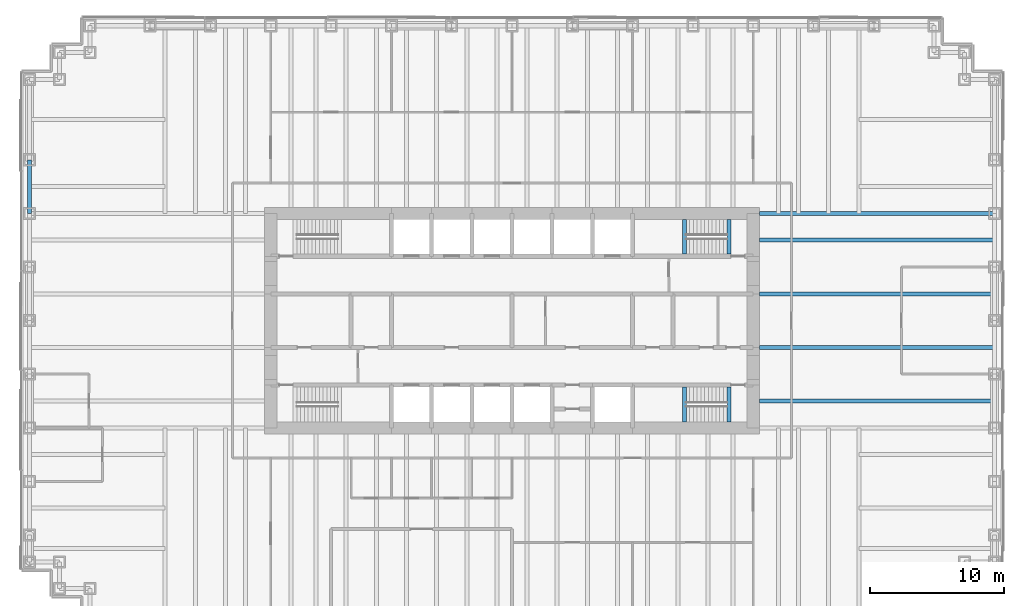
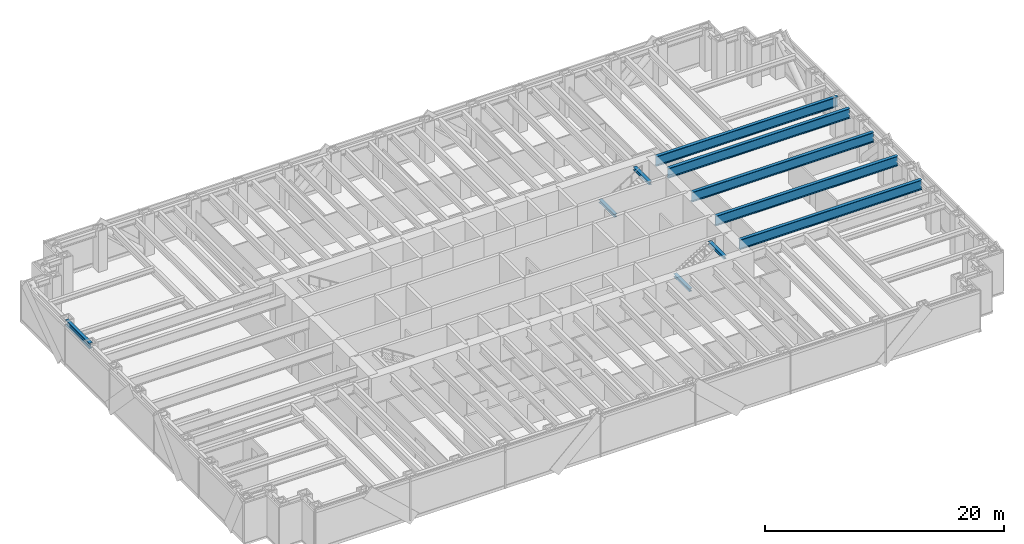
# One storey, part 5 of 15: 10 beams.
"""IFC4 building model written with IfcOpenShell, lengths in metres."""

from ifc_helpers import new_model, si_unit, direction, frame, origin, origin_2d, place, context, subcontext, project, spatial, i_section, extrude, material, material_profile, profile_set, type_object, element, save


model = new_model("IFC4")

# Units and contexts
model_context = context("Model", 3, precision=1e-05, world=origin(), true_north=direction((0.0, 1.0)))
body_context = subcontext(model_context, "Body", "Model", "MODEL_VIEW")
ifc_project = project(units=[si_unit("LENGTHUNIT", "METRE"), si_unit("AREAUNIT", "SQUARE_METRE"), si_unit("VOLUMEUNIT", "CUBIC_METRE"), si_unit("PLANEANGLEUNIT", "RADIAN"), si_unit("MASSUNIT", "GRAM", prefix="KILO")], contexts=[model_context])

# Site, building, storey
site_placement = place(None, origin())
site = spatial("IfcSite", under=ifc_project, at=site_placement, CompositionType="ELEMENT")
building_placement = place(site_placement, origin())
building = spatial("IfcBuilding", under=site, at=building_placement, Name="Rheinbord Bourse Tower", CompositionType="ELEMENT")
storey_placement = place(building_placement, frame((0.0, 0.0, 117.300048828125)))
storey = spatial("IfcBuildingStorey", under=building, at=storey_placement, Name="L25", CompositionType="ELEMENT", Elevation=117.300048828125)

# Beams
ifc_material_1 = material(Name="Steel S460", Category="steel")
ifc_material_profile_1 = material_profile(ifc_material_1, i_section(OverallWidth=0.302001953125, OverallDepth=1.008056640625, WebThickness=0.02099609375, FlangeThickness=0.0400390625, at=origin_2d()), Name="HEM 1000")
ifc_profile_set_1 = profile_set([ifc_material_profile_1], Name="Steel S460")
beam_type_1 = type_object("IfcBeamType", Name="END BEAM HEM 1000", PredefinedType="BEAM", material=ifc_profile_set_1)
for number, where, z_axis, x_axis, name in (
    (1, (54.449951171875, 18.0, 3.535888671875), (1.0, 0.0, 0.0), (0.0, 1.0, 0.0), "End beam east 18 L26"),
    (2, (54.449951171875, 22.0, 3.535888671875), (1.0, 0.0, 0.0), (0.0, 1.0, 0.0), "End beam east 22 L26"),
    (3, (54.449951171875, 26.0, 3.535888671875), (1.0, 0.0, 0.0), (0.0, 1.0, 0.0), "End beam east 26 L26"),
    (4, (54.449951171875, 30.0, 3.535888671875), (1.0, 0.0, 0.0), (0.0, 1.0, 0.0), "End beam east 30 L26"),
):
    element("IfcBeam", number, at=place(storey_placement, frame(where, z_axis=z_axis, x_axis=x_axis)), inside=storey, type_object=beam_type_1, Name=name, PredefinedType="BEAM", context=body_context, shape_type="SweptSolid", body=[
        extrude(i_section(OverallWidth=0.302001953125, OverallDepth=1.008056640625, WebThickness=0.02099609375, FlangeThickness=0.0400390625, at=origin_2d()), origin(), (0.0, 0.0, 1.0), 17.550048828125),
    ])
ifc_material_2 = material(Name="Steel S460", Category="steel")
ifc_material_profile_2 = material_profile(ifc_material_2, i_section(OverallWidth=0.302001953125, OverallDepth=1.008056640625, WebThickness=0.02099609375, FlangeThickness=0.0400390625, at=origin_2d()), Name="HEM 1000")
ifc_profile_set_2 = profile_set([ifc_material_profile_2], Name="Steel S460")
beam_type_2 = type_object("IfcBeamType", Name="GIRDER HEM 1000", PredefinedType="BEAM", material=ifc_profile_set_2)
beam_1_placement = place(storey_placement, frame((54.449951171875, 32.0, 3.535888671875), z_axis=(1.0, 0.0, 0.0), x_axis=(0.0, 1.0, 0.0)))
element("IfcBeam", 5, at=beam_1_placement, inside=storey, type_object=beam_type_2, Name="Girder east 32 L26", PredefinedType="BEAM", context=body_context, shape_type="SweptSolid", body=[
    extrude(i_section(OverallWidth=0.302001953125, OverallDepth=1.008056640625, WebThickness=0.02099609375, FlangeThickness=0.0400390625, at=origin_2d()), origin(), (0.0, 0.0, 1.0), 17.550048828125),
])
ifc_material_3 = material(Name="Steel S460", Category="steel")
ifc_material_profile_3 = material_profile(ifc_material_3, i_section(OverallWidth=0.300048828125, OverallDepth=0.300048828125, WebThickness=0.010986328125, FlangeThickness=0.01904296875, at=origin_2d()), Name="HEB 300")
ifc_profile_set_3 = profile_set([ifc_material_profile_3], Name="Steel S460")
beam_type_3 = type_object("IfcBeamType", Name="LANDING TRIMMER HEB 300", PredefinedType="BEAM", material=ifc_profile_set_3)
for number, where, z_axis, x_axis, name in (
    (6, (48.8701171875, 16.449951171875, 1.75), (0.0, 1.0, 0.0), (-1.0, 0.0, 0.0), "Landing trimmer ST3 L25"),
    (7, (52.199951171875, 16.449951171875, 3.889892578125), (0.0, 1.0, 0.0), (-1.0, 0.0, 0.0), "Well trimmer ST3 under L26"),
    (8, (48.8701171875, 28.949951171875, 1.75), (0.0, 1.0, 0.0), (-1.0, 0.0, 0.0), "Landing trimmer ST4 L25"),
    (9, (52.199951171875, 28.949951171875, 3.889892578125), (0.0, 1.0, 0.0), (-1.0, 0.0, 0.0), "Well trimmer ST4 under L26"),
):
    element("IfcBeam", number, at=place(storey_placement, frame(where, z_axis=z_axis, x_axis=x_axis)), inside=storey, type_object=beam_type_3, Name=name, PredefinedType="BEAM", context=body_context, shape_type="SweptSolid", body=[
        extrude(i_section(OverallWidth=0.300048828125, OverallDepth=0.300048828125, WebThickness=0.010986328125, FlangeThickness=0.01904296875, at=origin_2d()), origin(), (0.0, 0.0, 1.0), 2.60009765625),
    ])
ifc_material_4 = material(Name="Steel S460", Category="steel")
ifc_material_profile_4 = material_profile(ifc_material_4, i_section(OverallWidth=0.305908203125, OverallDepth=0.572021484375, WebThickness=0.02099609375, FlangeThickness=0.0400390625, at=origin_2d()), Name="HEM 550")
ifc_profile_set_4 = profile_set([ifc_material_profile_4], Name="Steel S460")
beam_type_4 = type_object("IfcBeamType", Name="SPANDREL HEM 550", PredefinedType="SPANDREL", material=ifc_profile_set_4)
beam_2_placement = place(storey_placement, frame((0.0, 36.0, 3.75390625), z_axis=(0.0, -1.0, 0.0), x_axis=(1.0, 0.0, 0.0)))
element("IfcBeam", 10, at=beam_2_placement, inside=storey, type_object=beam_type_4, Name="Spandrel W-36-W-32 under L26", PredefinedType="SPANDREL", context=body_context, shape_type="SweptSolid", body=[
    extrude(i_section(OverallWidth=0.305908203125, OverallDepth=0.572021484375, WebThickness=0.02099609375, FlangeThickness=0.0400390625, at=origin_2d()), origin(), (0.0, 0.0, 1.0), 4.0),
])

save(model, "model.ifc")
